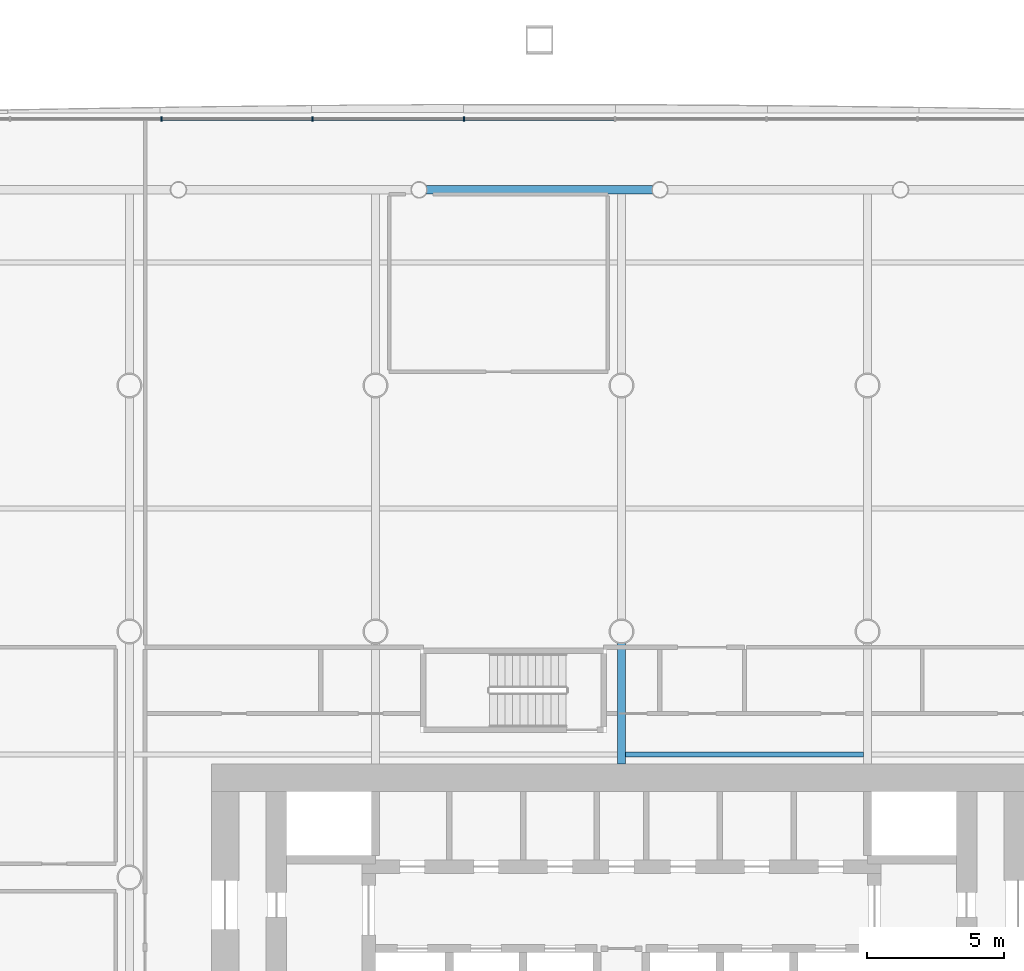
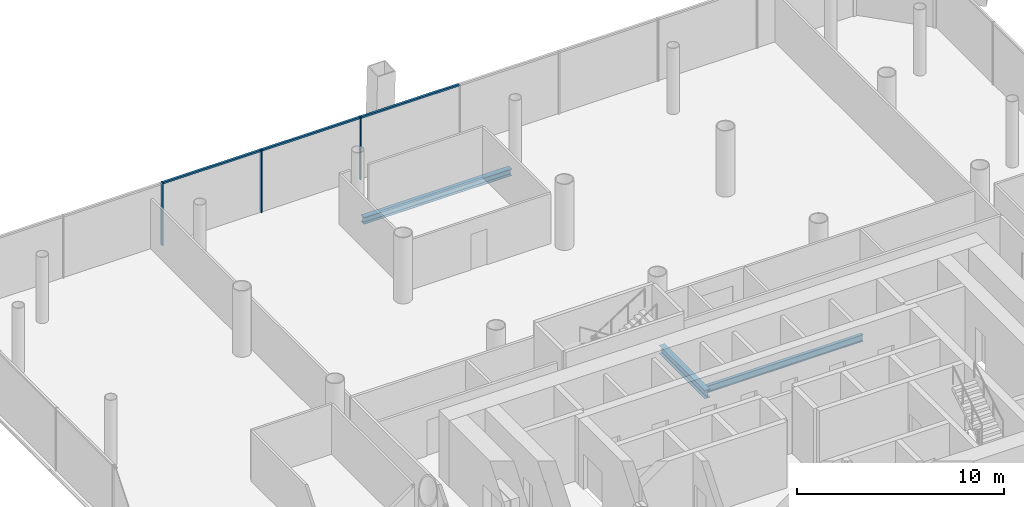
# One storey, part 11 of 23: 6 members, 3 beams, 1 element without a shape of its own.
"""IFC4 building model written with IfcOpenShell, lengths in metres."""

from ifc_helpers import new_model, si_unit, direction, frame, origin, origin_2d, place, context, subcontext, project, spatial, rectangle, i_section, extrude, material, material_profile, profile_set, type_object, element, aggregate, save


model = new_model("IFC4")

# Units and contexts
model_context = context("Model", 3, precision=1e-05, world=origin(), true_north=direction((0.0, 1.0)))
body_context = subcontext(model_context, "Body", "Model", "MODEL_VIEW")
ifc_project = project(units=[si_unit("LENGTHUNIT", "METRE"), si_unit("AREAUNIT", "SQUARE_METRE"), si_unit("VOLUMEUNIT", "CUBIC_METRE"), si_unit("PLANEANGLEUNIT", "RADIAN"), si_unit("MASSUNIT", "GRAM", prefix="KILO")], contexts=[model_context])

# Site, building, storey
site_placement = place(None, origin())
site = spatial("IfcSite", under=ifc_project, at=site_placement, CompositionType="ELEMENT")
building_placement = place(site_placement, origin())
building = spatial("IfcBuilding", under=site, at=building_placement, Name="Tskaro Facet Tower", CompositionType="ELEMENT")
storey_placement = place(building_placement, frame((0.0, 0.0, 14.699951171875)))
storey = spatial("IfcBuildingStorey", under=building, at=storey_placement, Name="L02", CompositionType="ELEMENT", Elevation=14.699951171875)

# Curtain wall, members
ifc_material_1 = material(Name="Bronze anodised aluminium 6063-T6", Category="aluminium")
curtain_wall_type = type_object("IfcCurtainWallType", Name="Bronze office curtain wall (FW1)", PredefinedType="NOTDEFINED", material=ifc_material_1)
curtain_wall_placement = place(storey_placement, origin())
curtain_wall = element("IfcCurtainWall", 1, at=curtain_wall_placement, inside=storey, type_object=curtain_wall_type, Name="FW1 north facet L02", PredefinedType="NOTDEFINED")
ifc_material_profile_1 = material_profile(ifc_material_1, rectangle(XDim=0.06005859375, YDim=0.159912109375, at=origin_2d()), Name="Mullion 60x160")
ifc_profile_set_1 = profile_set([ifc_material_profile_1], Name="Bronze anodised aluminium 6063-T6")
member_type_1 = type_object("IfcMemberType", Name="FW1 bronze mullion 60x160", PredefinedType="MULLION", material=ifc_profile_set_1)
member_1_placement = place(storey_placement, frame((-5.76611328125, 27.75, 0.0), z_axis=(0.0, 0.0, 1.0), x_axis=(-1.0, 0.0, 0.0)))
member_1 = element("IfcMember", 2, at=member_1_placement, type_object=member_type_1, Name="FW1 north mullion 5", PredefinedType="MULLION", context=body_context, shape_type="SweptSolid", body=[
    extrude(rectangle(XDim=0.06005859375, YDim=0.159912109375, at=origin_2d()), origin(), (0.0, 0.0, 1.0), 3.699951171875),
])
member_2_placement = place(storey_placement, frame((-11.298583984375, 27.75, 0.0), z_axis=(0.0, 0.0, 1.0), x_axis=(-1.0, 0.0, 0.0)))
member_2 = element("IfcMember", 3, at=member_2_placement, type_object=member_type_1, Name="FW1 north mullion 6", PredefinedType="MULLION", context=body_context, shape_type="SweptSolid", body=[
    extrude(rectangle(XDim=0.06005859375, YDim=0.159912109375, at=origin_2d()), origin(), (0.0, 0.0, 1.0), 3.699951171875),
])
member_3_placement = place(storey_placement, frame((-16.8310546875, 27.75, 0.0), z_axis=(0.0, 0.0, 1.0), x_axis=(-1.0, 0.0, 0.0)))
member_3 = element("IfcMember", 4, at=member_3_placement, type_object=member_type_1, Name="FW1 north mullion 7", PredefinedType="MULLION", context=body_context, shape_type="SweptSolid", body=[
    extrude(rectangle(XDim=0.06005859375, YDim=0.159912109375, at=origin_2d()), origin(), (0.0, 0.0, 1.0), 3.699951171875),
])
ifc_material_profile_2 = material_profile(ifc_material_1, rectangle(XDim=0.1201171875, YDim=0.10009765625, at=origin_2d()), Name="Transom 120x100")
ifc_profile_set_2 = profile_set([ifc_material_profile_2], Name="Bronze anodised aluminium 6063-T6")
member_type_2 = type_object("IfcMemberType", Name="FW1 bronze transom 120x100", PredefinedType="USERDEFINED", material=ifc_profile_set_2)
member_4_placement = place(storey_placement, frame((-0.263671875, 27.75, 3.650146484375), z_axis=(-1.0, 0.0, 0.0), x_axis=(0.0, -1.0, 0.0)))
member_4 = element("IfcMember", 5, at=member_4_placement, type_object=member_type_2, Name="FW1 north transom 5.1", ObjectType="TRANSOM", PredefinedType="USERDEFINED", context=body_context, shape_type="SweptSolid", body=[
    extrude(rectangle(XDim=0.1201171875, YDim=0.10009765625, at=origin_2d()), origin(), (0.0, 0.0, 1.0), 5.47265625),
])
member_5_placement = place(storey_placement, frame((-5.796142578125, 27.75, 3.650146484375), z_axis=(-1.0, 0.0, 0.0), x_axis=(0.0, -1.0, 0.0)))
member_5 = element("IfcMember", 6, at=member_5_placement, type_object=member_type_2, Name="FW1 north transom 6.1", ObjectType="TRANSOM", PredefinedType="USERDEFINED", context=body_context, shape_type="SweptSolid", body=[
    extrude(rectangle(XDim=0.1201171875, YDim=0.10009765625, at=origin_2d()), origin(), (0.0, 0.0, 1.0), 5.472412109375),
])
member_6_placement = place(storey_placement, frame((-11.32861328125, 27.75, 3.650146484375), z_axis=(-1.0, 0.0, 0.0), x_axis=(0.0, -1.0, 0.0)))
member_6 = element("IfcMember", 7, at=member_6_placement, type_object=member_type_2, Name="FW1 north transom 7.1", ObjectType="TRANSOM", PredefinedType="USERDEFINED", context=body_context, shape_type="SweptSolid", body=[
    extrude(rectangle(XDim=0.1201171875, YDim=0.10009765625, at=origin_2d()), origin(), (0.0, 0.0, 1.0), 5.472412109375),
])
aggregate(curtain_wall, [member_1, member_2, member_3, member_4, member_5, member_6])

# Beams
ifc_material_2 = material(Name="Steel S355J2", Category="steel")
ifc_material_profile_3 = material_profile(ifc_material_2, i_section(OverallWidth=0.300048828125, OverallDepth=0.39990234375, WebThickness=0.013427734375, FlangeThickness=0.02392578125, FilletRadius=0.027099609375, at=origin_2d()), Name="HE 400 B")
ifc_profile_set_3 = profile_set([ifc_material_profile_3], Name="Steel S355J2")
beam_type_1 = type_object("IfcBeamType", Name="HE 400 B ring beam", PredefinedType="BEAM", material=ifc_profile_set_3)
beam_1_placement = place(storey_placement, frame((1.126953125, 25.156982421875, -0.33984375), z_axis=(-1.0, 0.0, 0.0), x_axis=(0.0, -1.0, 0.0)))
element("IfcBeam", 8, at=beam_1_placement, inside=storey, type_object=beam_type_1, Name="HE 400 B EB16-1", PredefinedType="BEAM", context=body_context, shape_type="SweptSolid", body=[
    extrude(i_section(OverallWidth=0.300048828125, OverallDepth=0.39990234375, WebThickness=0.013427734375, FlangeThickness=0.02392578125, FilletRadius=0.027099609375, at=origin_2d()), origin(), (0.0, 0.0, 1.0), 8.25390625),
])
ifc_material_profile_4 = material_profile(ifc_material_2, i_section(OverallWidth=0.300048828125, OverallDepth=0.489990234375, WebThickness=0.011962890625, FlangeThickness=0.02294921875, FilletRadius=0.027099609375, at=origin_2d()), Name="HE 500 A")
ifc_profile_set_4 = profile_set([ifc_material_profile_4], Name="Steel S355J2")
beam_type_2 = type_object("IfcBeamType", Name="HE 500 A girder", PredefinedType="BEAM", material=ifc_profile_set_4)
beam_2_placement = place(storey_placement, frame((0.0, 4.14990234375, -0.385009765625), z_axis=(0.0, 1.0, 0.0), x_axis=(-1.0, 0.0, 0.0)))
element("IfcBeam", 9, at=beam_2_placement, inside=storey, type_object=beam_type_2, Name="HE 500 A GB4-3-1", PredefinedType="BEAM", context=body_context, shape_type="SweptSolid", body=[
    extrude(i_section(OverallWidth=0.300048828125, OverallDepth=0.489990234375, WebThickness=0.011962890625, FlangeThickness=0.02294921875, FilletRadius=0.027099609375, at=origin_2d()), origin(), (0.0, 0.0, 1.0), 4.4228515625),
])
ifc_material_profile_5 = material_profile(ifc_material_2, i_section(OverallWidth=0.179931640625, OverallDepth=0.39990234375, WebThickness=0.008544921875, FlangeThickness=0.013427734375, FilletRadius=0.02099609375, at=origin_2d()), Name="IPE 400")
ifc_profile_set_5 = profile_set([ifc_material_profile_5], Name="Steel S355J2")
beam_type_3 = type_object("IfcBeamType", Name="IPE 400 secondary beam", PredefinedType="BEAM", material=ifc_profile_set_5)
beam_3_placement = place(storey_placement, frame((0.14990234375, 4.5, -0.33984375), z_axis=(1.0, 0.0, 0.0), x_axis=(0.0, 1.0, 0.0)))
element("IfcBeam", 10, at=beam_3_placement, inside=storey, type_object=beam_type_3, Name="IPE 400 SB4a-4-1", PredefinedType="BEAM", context=body_context, shape_type="SweptSolid", body=[
    extrude(i_section(OverallWidth=0.179931640625, OverallDepth=0.39990234375, WebThickness=0.008544921875, FlangeThickness=0.013427734375, FilletRadius=0.02099609375, at=origin_2d()), origin(), (0.0, 0.0, 1.0), 8.7001953125),
])

save(model, "model.ifc")
